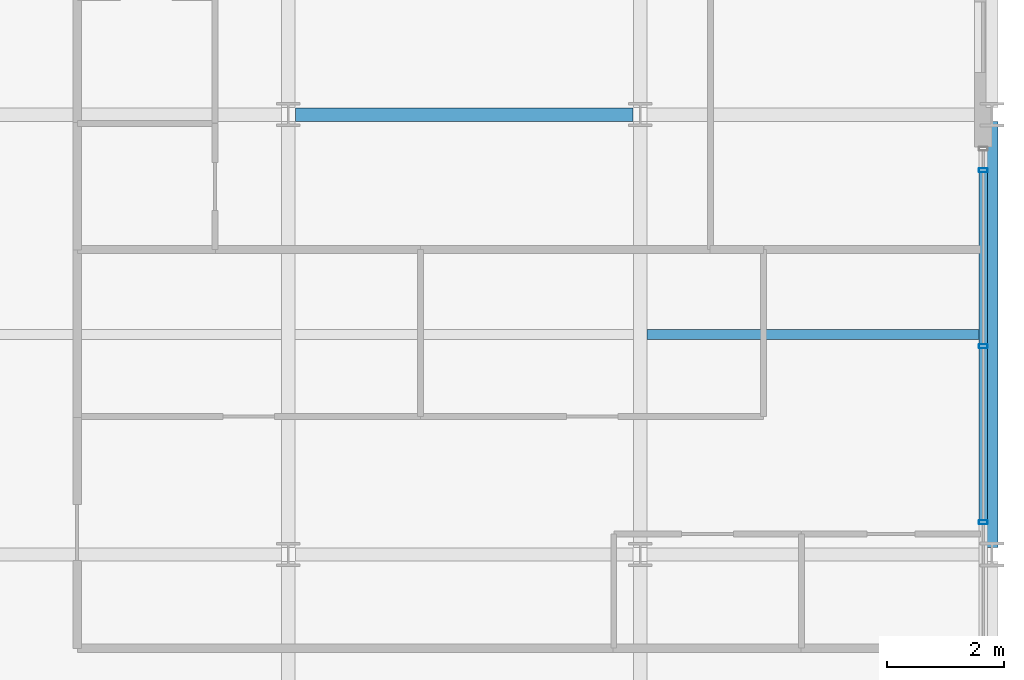
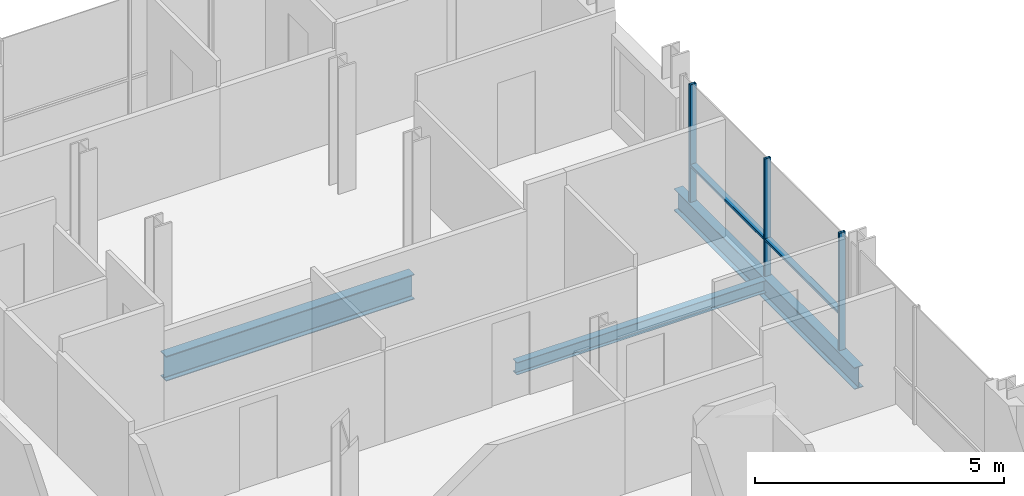
# One storey, part 21 of 41: 5 members, 3 beams, 1 element without a shape of its own.
"""IFC4 building model written with IfcOpenShell, lengths in metres."""

import ifcopenshell
import ifcopenshell.guid

model = None  # the IFC model being written
_history = None  # IfcOwnerHistory: only IFC2X3 demands one
_inside = {}  # id of a spatial element -> (the spatial element, [elements in it])
_under = {}  # id of a project, library or spatial element -> (it, [spatial elements below it])
_declared = {}  # id of a project -> (the project, [libraries it declares])
_typed = {}  # id of a type object -> (the type object, [elements of that type])
_made_of = {}  # id of a material, layer set ... -> (it, [elements and type objects made of it])


def new_model(schema):
    """Start an empty IFC model of exactly this schema.

    Asked for "IFC4X3", IfcOpenShell would pick the latest addendum, in which some entities
    have other attributes; the version numbers below select the first issue.
    IFC2X3 requires an IfcOwnerHistory on every rooted entity: one is made here for all.
    """
    global model, _history
    if schema == "IFC4X3":
        model = ifcopenshell.file(schema_version=(4, 3, 0, 0))
    else:
        model = ifcopenshell.file(schema=schema)
    _inside.clear()
    _under.clear()
    _declared.clear()
    _typed.clear()
    _made_of.clear()
    _history = None
    if model.schema == "IFC2X3":
        org = make("IfcOrganization", Name="unknown")
        user = make(
            "IfcPersonAndOrganization",
            ThePerson=make("IfcPerson", FamilyName="unknown"),
            TheOrganization=org,
        )
        app = make(
            "IfcApplication",
            ApplicationDeveloper=org,
            Version="unknown",
            ApplicationFullName="unknown",
            ApplicationIdentifier="unknown",
        )
        _history = make(
            "IfcOwnerHistory",
            OwningUser=user,
            OwningApplication=app,
            ChangeAction="ADDED",
            CreationDate=0,
        )
    return model


def make(cls, **values):
    """One entity of the class cls with the attributes given. An attribute that is None is left unset."""
    return model.create_entity(
        cls, **{name: value for name, value in values.items() if value is not None}
    )


def rooted(cls, **values):
    """An entity with a GlobalId (a new one), such as an element, a storey or a relation."""
    return make(cls, GlobalId=ifcopenshell.guid.new(), OwnerHistory=_history, **values)


def si_unit(unit_type, name, prefix=None):
    """IfcSIUnit, for example si_unit("LENGTHUNIT", "METRE", prefix="MILLI")."""
    return make("IfcSIUnit", UnitType=unit_type, Prefix=prefix, Name=name)


def assignment(units):
    """IfcUnitAssignment: the units of a project."""
    return None if units is None else make("IfcUnitAssignment", Units=units)


def point(xyz):
    """IfcCartesianPoint."""
    return None if xyz is None else make("IfcCartesianPoint", Coordinates=xyz)


def direction(xyz):
    """IfcDirection."""
    return None if xyz is None else make("IfcDirection", DirectionRatios=xyz)


def frame(location, z_axis=None, x_axis=None):
    """IfcAxis2Placement3D, a coordinate frame: its origin and axes. An axis left out is left unset."""
    return make(
        "IfcAxis2Placement3D",
        Location=point(location),
        Axis=direction(z_axis),
        RefDirection=direction(x_axis),
    )


def frame_2d(location, x_axis=None):
    """IfcAxis2Placement2D, a coordinate frame in the plane: its origin and x axis."""
    return make(
        "IfcAxis2Placement2D", Location=point(location), RefDirection=direction(x_axis)
    )


def origin():
    """The frame at (0, 0, 0) with its axes left unset."""
    return frame((0.0, 0.0, 0.0))


def origin_2d():
    """The frame at (0, 0) in the plane with its x axis left unset."""
    return frame_2d((0.0, 0.0))


def place(relative_to, where):
    """IfcLocalPlacement: puts the frame where relative to a parent placement (None: the world)."""
    return make(
        "IfcLocalPlacement", PlacementRelTo=relative_to, RelativePlacement=where
    )


def context(
    kind, dimensions, precision=None, world=None, true_north=None, identifier=None
):
    """IfcGeometricRepresentationContext, for example the 3D "Model" context."""
    return make(
        "IfcGeometricRepresentationContext",
        ContextIdentifier=identifier,
        ContextType=kind,
        CoordinateSpaceDimension=dimensions,
        Precision=precision,
        WorldCoordinateSystem=world,
        TrueNorth=true_north,
    )


def subcontext(parent, identifier, kind, view, scale=None):
    """IfcGeometricRepresentationSubContext, for example "Body" below "Model"."""
    return make(
        "IfcGeometricRepresentationSubContext",
        ContextIdentifier=identifier,
        ContextType=kind,
        ParentContext=parent,
        TargetScale=scale,
        TargetView=view,
    )


def project(units=None, contexts=None):
    """IfcProject with its units and contexts."""
    return rooted(
        "IfcProject",
        Name="project",
        RepresentationContexts=contexts,
        UnitsInContext=assignment(units),
    )


def spatial(cls, under=None, at=None, **own):
    """A site, building, storey or space (cls), placed at a placement, below another one or the project."""
    s = rooted(cls, ObjectPlacement=at, **own)
    if under is not None:
        _under.setdefault(under.id(), (under, []))[1].append(s)
    return s


def profile(cls, at=None, kind="AREA", **sizes):
    """A parametric profile (cls). Its sizes go by their IFC names, for example OverallWidth=200.0."""
    return make(cls, ProfileType=kind, Position=at, **sizes)


def hollow_rectangle(**sizes):
    """IfcRectangleHollowProfileDef."""
    return profile("IfcRectangleHollowProfileDef", **sizes)


def i_section(**sizes):
    """IfcIShapeProfileDef."""
    return profile("IfcIShapeProfileDef", **sizes)


def extrude(swept, where, along, depth):
    """IfcExtrudedAreaSolid: the profile swept, set in the frame where, extruded along a direction by depth."""
    return make(
        "IfcExtrudedAreaSolid",
        SweptArea=swept,
        Position=where,
        ExtrudedDirection=direction(along),
        Depth=depth,
    )


def shape(context_of_items, identifier, shape_type, items):
    """IfcShapeRepresentation: the items that make up one representation, for example the "Body"."""
    return make(
        "IfcShapeRepresentation",
        ContextOfItems=context_of_items,
        RepresentationIdentifier=identifier,
        RepresentationType=shape_type,
        Items=items,
    )


def material(Name=None, Category=None):
    """IfcMaterial."""
    return make("IfcMaterial", Name=Name, Category=Category)


def layer(
    of_material, thickness, ventilated=None, Name=None, Category=None, Priority=None
):
    """IfcMaterialLayer: one layer of a wall or slab, of a material (None: an air gap)."""
    return make(
        "IfcMaterialLayer",
        Material=of_material,
        LayerThickness=thickness,
        IsVentilated=ventilated,
        Name=Name,
        Category=Category,
        Priority=Priority,
    )


def layer_set(layers, Name=None):
    """IfcMaterialLayerSet."""
    return make("IfcMaterialLayerSet", MaterialLayers=layers, LayerSetName=Name)


def material_profile(
    of_material, cross_section, Name=None, Category=None, Priority=None
):
    """IfcMaterialProfile: a cross section and its material."""
    return make(
        "IfcMaterialProfile",
        Name=Name,
        Material=of_material,
        Profile=cross_section,
        Priority=Priority,
        Category=Category,
    )


def profile_set(profiles, Name=None, composite=None):
    """IfcMaterialProfileSet."""
    return make(
        "IfcMaterialProfileSet",
        Name=Name,
        MaterialProfiles=profiles,
        CompositeProfile=composite,
    )


def made_of(thing, what):
    """Note that an element or type object is made of a material, layer set ...; save() writes the relation."""
    if what is not None:
        _made_of.setdefault(what.id(), (what, []))[1].append(thing)
    return thing


def type_object(cls, material=None, **own):
    """A type object (cls), such as IfcWallType, which elements share."""
    return made_of(rooted(cls, **own), material)


def element(
    cls,
    number,
    at=None,
    inside=None,
    cuts=None,
    type_object=None,
    material=None,
    context=None,
    identifier="Body",
    shape_type=None,
    held_by="IfcProductDefinitionShape",
    body=None,
    shapes=None,
    **own,
):
    """One element of the class cls, such as IfcWall. Its Tag is "e" and its number.

    at: its placement. inside: the storey or other place that contains it. cuts: it is an
    opening in that element (IfcRelVoidsElement). A single representation is given by context,
    identifier, shape_type and body (its items); several are given by shapes. held_by: the class
    of the entity that holds the representations. save() writes the other relations.
    """
    e = rooted(cls, Tag="e%d" % number, ObjectPlacement=at, **own)
    if body is not None:
        shapes = [shape(context, identifier, shape_type, body)]
    if shapes is not None:
        e.Representation = make(held_by, Representations=shapes)
    if inside is not None:
        _inside.setdefault(inside.id(), (inside, []))[1].append(e)
    if cuts is not None:
        rooted(
            "IfcRelVoidsElement", RelatingBuildingElement=cuts, RelatedOpeningElement=e
        )
    if type_object is not None:
        _typed.setdefault(type_object.id(), (type_object, []))[1].append(e)
    return made_of(e, material)


def aggregate(whole, parts):
    """IfcRelAggregates: a whole, such as a stair, and the parts it consists of."""
    return rooted("IfcRelAggregates", RelatingObject=whole, RelatedObjects=parts)


def save(model, path):
    """Write the relations noted so far, then the file.

    IfcRelAggregates (storeys below a building ...), IfcRelContainedInSpatialStructure (elements
    in a storey), IfcRelDefinesByType, IfcRelAssociatesMaterial and IfcRelDeclares: one each for
    every whole, place, type object, material and project.
    """
    for whole, parts in _under.values():
        aggregate(whole, parts)
    for where, things in _inside.values():
        rooted(
            "IfcRelContainedInSpatialStructure",
            RelatedElements=things,
            RelatingStructure=where,
        )
    for kind, things in _typed.values():
        rooted("IfcRelDefinesByType", RelatedObjects=things, RelatingType=kind)
    for what, things in _made_of.values():
        rooted("IfcRelAssociatesMaterial", RelatedObjects=things, RelatingMaterial=what)
    for by, libraries in _declared.values():
        rooted("IfcRelDeclares", RelatingContext=by, RelatedDefinitions=libraries)
    model.write(path)


model = new_model("IFC4")

# Units and contexts
model_context = context("Model", 3, precision=1e-05, world=origin(), true_north=direction((0.0, 1.0)))
body_context = subcontext(model_context, "Body", "Model", "MODEL_VIEW")
ifc_project = project(units=[si_unit("LENGTHUNIT", "METRE"), si_unit("AREAUNIT", "SQUARE_METRE"), si_unit("VOLUMEUNIT", "CUBIC_METRE"), si_unit("PLANEANGLEUNIT", "RADIAN"), si_unit("MASSUNIT", "GRAM", prefix="KILO")], contexts=[model_context])

# Site, building, storey
site_placement = place(None, origin())
site = spatial("IfcSite", under=ifc_project, at=site_placement, CompositionType="ELEMENT")
building_placement = place(site_placement, origin())
building = spatial("IfcBuilding", under=site, at=building_placement, Name="Brevholm Reach", CompositionType="ELEMENT")
storey_placement = place(building_placement, frame((0.0, 0.0, 144.89990234375)))
storey = spatial("IfcBuildingStorey", under=building, at=storey_placement, Name="L43", CompositionType="ELEMENT", Elevation=144.89990234375)

# Beams
ifc_material_1 = material(Name="Structural Steel S355J2", Category="steel")
ifc_material_profile_1 = material_profile(ifc_material_1, i_section(OverallWidth=0.1650390625, OverallDepth=0.303466796875, WebThickness=0.006103515625, FlangeThickness=0.01025390625, FilletRadius=0.0087890625, at=origin_2d()), Name="UKB 305x165x40")
ifc_profile_set_1 = profile_set([ifc_material_profile_1], Name="Structural Steel S355J2")
beam_type_1 = type_object("IfcBeamType", Name="BM-B305", PredefinedType="BEAM", material=ifc_profile_set_1)
beam_1_placement = place(storey_placement, frame((54.114501953125, 19.75, -0.37158203125), z_axis=(1.0, 0.0, 0.0), x_axis=(0.0, 1.0, 0.0)))
element("IfcBeam", 1, at=beam_1_placement, inside=storey, type_object=beam_type_1, Name="L43 Composite Secondary Floor Beam", PredefinedType="BEAM", context=body_context, shape_type="SweptSolid", body=[
    extrude(i_section(OverallWidth=0.1650390625, OverallDepth=0.303466796875, WebThickness=0.006103515625, FlangeThickness=0.01025390625, FilletRadius=0.0087890625, at=origin_2d()), origin(), (0.0, 0.0, 1.0), 5.78076171875),
])
ifc_material_2 = material(Name="Structural Steel S355J2", Category="steel")
ifc_material_profile_2 = material_profile(ifc_material_2, i_section(OverallWidth=0.209228515625, OverallDepth=0.533203125, WebThickness=0.010009765625, FlangeThickness=0.015625, FilletRadius=0.0126953125, at=origin_2d()), Name="UKB 533x210x92")
ifc_profile_set_2 = profile_set([ifc_material_profile_2], Name="Structural Steel S355J2")
beam_type_2 = type_object("IfcBeamType", Name="BM-SP533", PredefinedType="SPANDREL", material=ifc_profile_set_2)
beam_2_placement = place(storey_placement, frame((60.0, 16.1201171875, -0.486572265625), z_axis=(0.0, 1.0, 0.0), x_axis=(-1.0, 0.0, 0.0)))
element("IfcBeam", 2, at=beam_2_placement, inside=storey, type_object=beam_type_2, Name="L43 SP-02 Framing Beam", PredefinedType="SPANDREL", context=body_context, shape_type="SweptSolid", body=[
    extrude(i_section(OverallWidth=0.209228515625, OverallDepth=0.533203125, WebThickness=0.010009765625, FlangeThickness=0.015625, FilletRadius=0.0126953125, at=origin_2d()), origin(), (0.0, 0.0, 1.0), 7.259765625),
])
ifc_material_3 = material(Name="Structural Steel S355J2", Category="steel")
ifc_material_profile_3 = material_profile(ifc_material_3, i_section(OverallWidth=0.22900390625, OverallDepth=0.6123046875, WebThickness=0.011962890625, FlangeThickness=0.01953125, FilletRadius=0.0126953125, at=origin_2d()), Name="UKB 610x229x125")
ifc_profile_set_3 = profile_set([ifc_material_profile_3], Name="Structural Steel S355J2")
beam_type_3 = type_object("IfcBeamType", Name="BM-SP610", PredefinedType="SPANDREL", material=ifc_profile_set_3)
beam_3_placement = place(storey_placement, frame((48.1201171875, 23.5, -0.526123046875), z_axis=(1.0, 0.0, 0.0), x_axis=(0.0, 1.0, 0.0)))
element("IfcBeam", 3, at=beam_3_placement, inside=storey, type_object=beam_type_3, Name="L43 SP-01 Framing Beam", PredefinedType="SPANDREL", context=body_context, shape_type="SweptSolid", body=[
    extrude(i_section(OverallWidth=0.22900390625, OverallDepth=0.6123046875, WebThickness=0.011962890625, FlangeThickness=0.01953125, FilletRadius=0.0126953125, at=origin_2d()), origin(), (0.0, 0.0, 1.0), 5.759765625),
])

# Curtain wall, members
ifc_material_4 = material(Name="Dark Anodised Aluminium 6063-T6 and Solar-Control Glass", Category="aluminium")
ifc_layer = layer(ifc_material_4, 0.14990234375)
ifc_layer_set = layer_set([ifc_layer], Name="Dark Anodised Aluminium 6063-T6 and Solar-Control Glass")
curtain_wall_type = type_object("IfcCurtainWallType", Name="CW-01", PredefinedType="NOTDEFINED", material=ifc_layer_set)
curtain_wall_placement = place(storey_placement, origin())
curtain_wall = element("IfcCurtainWall", 4, at=curtain_wall_placement, inside=storey, type_object=curtain_wall_type, Name="L43 Curtain Wall CW-01", PredefinedType="NOTDEFINED")
ifc_material_5 = material(Name="Dark Anodised Aluminium 6063-T6", Category="aluminium")
ifc_material_profile_4 = material_profile(ifc_material_5, hollow_rectangle(XDim=0.06494140625, YDim=0.14990234375, WallThickness=0.0048828125, InnerFilletRadius=0.0048828125, OuterFilletRadius=0.010009765625, at=origin_2d()), Name="RHS 150x65x5")
ifc_profile_set_4 = profile_set([ifc_material_profile_4], Name="Dark Anodised Aluminium 6063-T6")
member_type_1 = type_object("IfcMemberType", Name="CWM-150", PredefinedType="MULLION", material=ifc_profile_set_4)
member_1_placement = place(storey_placement, frame((59.85009765625, 16.550048828125, 0.0), z_axis=(0.0, 0.0, 1.0), x_axis=(0.0, 1.0, 0.0)))
member_1 = element("IfcMember", 5, at=member_1_placement, type_object=member_type_1, Name="CM-150 Mullion 3", PredefinedType="MULLION", context=body_context, shape_type="SweptSolid", body=[
    extrude(hollow_rectangle(XDim=0.06494140625, YDim=0.14990234375, WallThickness=0.0048828125, InnerFilletRadius=0.0048828125, OuterFilletRadius=0.010009765625, at=origin_2d()), origin(), (0.0, 0.0, 1.0), 2.880126953125),
])
member_2_placement = place(storey_placement, frame((59.85009765625, 19.550048828125, 0.0), z_axis=(0.0, 0.0, 1.0), x_axis=(0.0, 1.0, 0.0)))
member_2 = element("IfcMember", 6, at=member_2_placement, type_object=member_type_1, Name="CM-150 Mullion 4", PredefinedType="MULLION", context=body_context, shape_type="SweptSolid", body=[
    extrude(hollow_rectangle(XDim=0.06494140625, YDim=0.14990234375, WallThickness=0.0048828125, InnerFilletRadius=0.0048828125, OuterFilletRadius=0.010009765625, at=origin_2d()), origin(), (0.0, 0.0, 1.0), 2.880126953125),
])
member_3_placement = place(storey_placement, frame((59.85009765625, 22.550048828125, 0.0), z_axis=(0.0, 0.0, 1.0), x_axis=(0.0, 1.0, 0.0)))
member_3 = element("IfcMember", 7, at=member_3_placement, type_object=member_type_1, Name="CM-150 Mullion 5", PredefinedType="MULLION", context=body_context, shape_type="SweptSolid", body=[
    extrude(hollow_rectangle(XDim=0.06494140625, YDim=0.14990234375, WallThickness=0.0048828125, InnerFilletRadius=0.0048828125, OuterFilletRadius=0.010009765625, at=origin_2d()), origin(), (0.0, 0.0, 1.0), 2.880126953125),
])
ifc_material_6 = material(Name="Dark Anodised Aluminium 6063-T6", Category="aluminium")
ifc_material_profile_5 = material_profile(ifc_material_6, hollow_rectangle(XDim=0.06494140625, YDim=0.14990234375, WallThickness=0.0048828125, InnerFilletRadius=0.0048828125, OuterFilletRadius=0.010009765625, at=origin_2d()), Name="RHS 150x65x5")
ifc_profile_set_5 = profile_set([ifc_material_profile_5], Name="Dark Anodised Aluminium 6063-T6")
member_type_2 = type_object("IfcMemberType", Name="CWT-150", PredefinedType="NOTDEFINED", material=ifc_profile_set_5)
member_4_placement = place(storey_placement, frame((59.85009765625, 16.58251953125, 0.900146484375), z_axis=(0.0, 1.0, 0.0), x_axis=(0.0, 0.0, 1.0)))
member_4 = element("IfcMember", 8, at=member_4_placement, type_object=member_type_2, Name="CT-150 Transom 3.1", ObjectType="TRANSOM", PredefinedType="USERDEFINED", context=body_context, shape_type="SweptSolid", body=[
    extrude(hollow_rectangle(XDim=0.06494140625, YDim=0.14990234375, WallThickness=0.0048828125, InnerFilletRadius=0.0048828125, OuterFilletRadius=0.010009765625, at=origin_2d()), origin(), (0.0, 0.0, 1.0), 2.93505859375),
])
member_5_placement = place(storey_placement, frame((59.85009765625, 19.58251953125, 0.900146484375), z_axis=(0.0, 1.0, 0.0), x_axis=(0.0, 0.0, 1.0)))
member_5 = element("IfcMember", 9, at=member_5_placement, type_object=member_type_2, Name="CT-150 Transom 4.1", ObjectType="TRANSOM", PredefinedType="USERDEFINED", context=body_context, shape_type="SweptSolid", body=[
    extrude(hollow_rectangle(XDim=0.06494140625, YDim=0.14990234375, WallThickness=0.0048828125, InnerFilletRadius=0.0048828125, OuterFilletRadius=0.010009765625, at=origin_2d()), origin(), (0.0, 0.0, 1.0), 2.93505859375),
])
aggregate(curtain_wall, [member_1, member_2, member_3, member_4, member_5])

save(model, "model.ifc")
